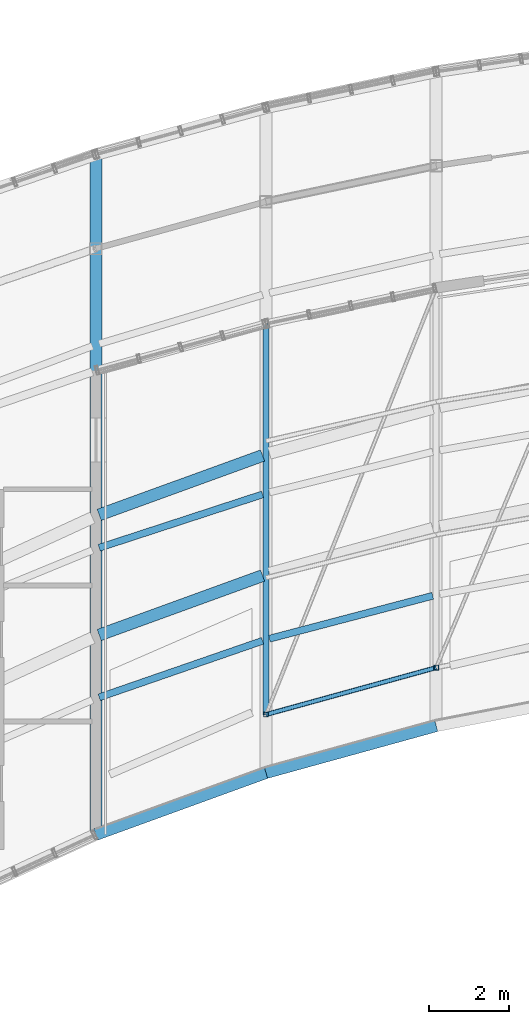
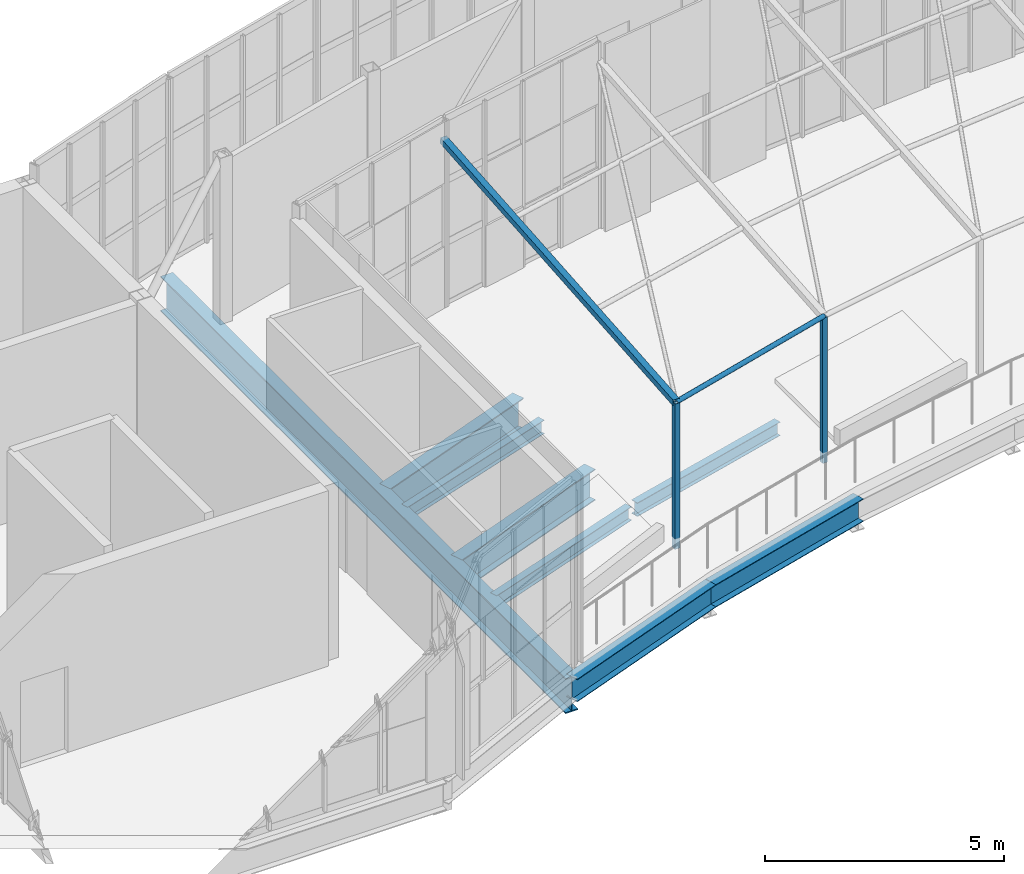
# One storey, part 9 of 35: 8 beams, 4 members.
"""IFC4 building model written with IfcOpenShell, lengths in metres."""

from ifc_helpers import new_model, si_unit, direction, frame, origin, origin_2d, place, context, subcontext, project, spatial, hollow_rectangle, hollow_circle, i_section, extrude, material, material_profile, profile_set, type_object, element, save


model = new_model("IFC4")

# Units and contexts
model_context = context("Model", 3, precision=1e-05, world=origin(), true_north=direction((0.0, 1.0)))
body_context = subcontext(model_context, "Body", "Model", "MODEL_VIEW")
ifc_project = project(units=[si_unit("LENGTHUNIT", "METRE"), si_unit("AREAUNIT", "SQUARE_METRE"), si_unit("VOLUMEUNIT", "CUBIC_METRE"), si_unit("PLANEANGLEUNIT", "RADIAN"), si_unit("MASSUNIT", "GRAM", prefix="KILO")], contexts=[model_context])

# Site, building, storey
site_placement = place(None, origin())
site = spatial("IfcSite", under=ifc_project, at=site_placement, CompositionType="ELEMENT")
building_placement = place(site_placement, origin())
building = spatial("IfcBuilding", under=site, at=building_placement, Name="Solvikara Media Centre", CompositionType="ELEMENT")
storey_placement = place(building_placement, frame((0.0, 0.0, 29.39990234375)))
storey = spatial("IfcBuildingStorey", under=building, at=storey_placement, Name="L06", CompositionType="ELEMENT", Elevation=29.39990234375)

# Beams
ifc_material = material(Name="Steel S355JR", Category="steel")
ifc_material_profile_1 = material_profile(ifc_material, i_section(OverallWidth=0.300048828125, OverallDepth=0.89990234375, WebThickness=0.01611328125, FlangeThickness=0.028076171875, at=origin_2d()), Name="WF 900x300x16x28")
ifc_profile_set_1 = profile_set([ifc_material_profile_1], Name="Steel S355JR")
beam_type_1 = type_object("IfcBeamType", Name="BM-15", PredefinedType="BEAM", material=ifc_profile_set_1)
beam_1_placement = place(storey_placement, frame((80.75, 21.279052734375, -0.721923828125), z_axis=(0.0, 1.0, 0.0), x_axis=(-1.0, 0.0, 0.0)))
element("IfcBeam", 1, at=beam_1_placement, inside=storey, type_object=beam_type_1, Name="BG-L06-NS-01", PredefinedType="BEAM", context=body_context, shape_type="SweptSolid", body=[
    extrude(i_section(OverallWidth=0.300048828125, OverallDepth=0.89990234375, WebThickness=0.01611328125, FlangeThickness=0.028076171875, at=origin_2d()), origin(), (0.0, 0.0, 1.0), 16.98095703125),
])
ifc_material_profile_2 = material_profile(ifc_material, i_section(OverallWidth=0.300048828125, OverallDepth=0.800048828125, WebThickness=0.013916015625, FlangeThickness=0.02587890625, at=origin_2d()), Name="WF 800x300x14x26")
ifc_profile_set_2 = profile_set([ifc_material_profile_2], Name="Steel S355JR")
beam_type_2 = type_object("IfcBeamType", Name="BM-16", PredefinedType="BEAM", material=ifc_profile_set_2)
for number, where, z_axis, x_axis, name in (
    (2, (80.8349609375, 26.260009765625, -0.671875), (0.939849238439, 0.341589532927, 0.0), (-0.341589532927, 0.939849238439, 0.0), "B-L06-SPNS-01"),
    (3, (80.8349609375, 29.260009765625, -0.671875), (0.939849238439, 0.341589532927, 0.0), (-0.341589532927, 0.939849238439, 0.0), "B-L06-SPNN-01"),
):
    element("IfcBeam", number, at=place(storey_placement, frame(where, z_axis=z_axis, x_axis=x_axis)), inside=storey, type_object=beam_type_2, Name=name, PredefinedType="BEAM", context=body_context, shape_type="SweptSolid", body=[
        extrude(i_section(OverallWidth=0.300048828125, OverallDepth=0.800048828125, WebThickness=0.013916015625, FlangeThickness=0.02587890625, at=origin_2d()), origin(), (0.0, 0.0, 1.0), 4.34130859375),
    ])
ifc_material_profile_3 = material_profile(ifc_material, i_section(OverallWidth=0.175048828125, OverallDepth=0.35009765625, WebThickness=0.007080078125, FlangeThickness=0.010986328125, at=origin_2d()), Name="WF 350x175x7x11")
ifc_profile_set_3 = profile_set([ifc_material_profile_3], Name="Steel S355JR")
beam_type_3 = type_object("IfcBeamType", Name="BM-22", PredefinedType="JOIST", material=ifc_profile_set_3)
beam_2_placement = place(storey_placement, frame((80.8349609375, 24.7041015625, -0.447021484375), z_axis=(0.945019683137, 0.327013453063, 0.0), x_axis=(-0.327013453063, 0.945019683137, 0.0)))
element("IfcBeam", 4, at=beam_2_placement, inside=storey, type_object=beam_type_3, Name="BJ-L06-01-20", PredefinedType="JOIST", context=body_context, shape_type="SweptSolid", body=[
    extrude(i_section(OverallWidth=0.175048828125, OverallDepth=0.35009765625, WebThickness=0.007080078125, FlangeThickness=0.010986328125, at=origin_2d()), origin(), (0.0, 0.0, 1.0), 4.3173828125),
])
beam_3_placement = place(storey_placement, frame((80.8359375, 28.43896484375, -0.447021484375), z_axis=(0.950578037944, 0.310485738447, 0.0), x_axis=(-0.310485738447, 0.950578037944, 0.0)))
element("IfcBeam", 5, at=beam_3_placement, inside=storey, type_object=beam_type_3, Name="BJ-L06-01-42", PredefinedType="JOIST", context=body_context, shape_type="SweptSolid", body=[
    extrude(i_section(OverallWidth=0.175048828125, OverallDepth=0.35009765625, WebThickness=0.007080078125, FlangeThickness=0.010986328125, at=origin_2d()), origin(), (0.0, 0.0, 1.0), 4.2900390625),
])
beam_4_placement = place(storey_placement, frame((85.0869140625, 26.16796875, -0.447021484375), z_axis=(0.967112792727, 0.254347884096, 0.0), x_axis=(-0.254347884096, 0.967112792727, 0.0)))
element("IfcBeam", 6, at=beam_4_placement, inside=storey, type_object=beam_type_3, Name="BJ-L06-02-20", PredefinedType="JOIST", context=body_context, shape_type="SweptSolid", body=[
    extrude(i_section(OverallWidth=0.175048828125, OverallDepth=0.35009765625, WebThickness=0.007080078125, FlangeThickness=0.010986328125, at=origin_2d()), origin(), (0.0, 0.0, 1.0), 4.21484375),
])
ifc_material_profile_4 = material_profile(ifc_material, i_section(OverallWidth=0.300048828125, OverallDepth=0.58203125, WebThickness=0.011962890625, FlangeThickness=0.01708984375, at=origin_2d()), Name="WF 582x300x12x17")
ifc_profile_set_4 = profile_set([ifc_material_profile_4], Name="Steel S355JR")
beam_type_4 = type_object("IfcBeamType", Name="BM-31", PredefinedType="SPANDREL", material=ifc_profile_set_4)
beam_5_placement = place(storey_placement, frame((80.75, 21.279052734375, -0.56298828125), z_axis=(0.939831249065, 0.341639024821, 0.0), x_axis=(-0.341639024821, 0.939831249065, 0.0)))
element("IfcBeam", 7, at=beam_5_placement, inside=storey, type_object=beam_type_4, Name="B-L06-SARC-01", PredefinedType="SPANDREL", context=body_context, shape_type="SweptSolid", body=[
    extrude(i_section(OverallWidth=0.300048828125, OverallDepth=0.58203125, WebThickness=0.011962890625, FlangeThickness=0.01708984375, at=origin_2d()), origin(), (0.0, 0.0, 1.0), 4.52197265625),
])
beam_6_placement = place(storey_placement, frame((85.0, 22.823974609375, -0.56298828125), z_axis=(0.964009749544, 0.265866889221, 0.0), x_axis=(-0.265866889221, 0.964009749544, 0.0)))
element("IfcBeam", 8, at=beam_6_placement, inside=storey, type_object=beam_type_4, Name="B-L06-SARC-02", PredefinedType="SPANDREL", context=body_context, shape_type="SweptSolid", body=[
    extrude(i_section(OverallWidth=0.300048828125, OverallDepth=0.58203125, WebThickness=0.011962890625, FlangeThickness=0.01708984375, at=origin_2d()), origin(), (0.0, 0.0, 1.0), 4.40869140625),
])

# Members
ifc_material_profile_5 = material_profile(ifc_material, hollow_circle(Radius=0.05712890625, WallThickness=0.006103515625, at=origin_2d()), Name="CHS 114.3x6")
ifc_profile_set_5 = profile_set([ifc_material_profile_5], Name="Steel S355JR")
member_type_1 = type_object("IfcMemberType", Name="MB-09", PredefinedType="BRACE", material=ifc_profile_set_5)
member_1_placement = place(storey_placement, frame((85.0, 24.27392578125, 3.4501953125), z_axis=(0.964009749544, 0.265866889221, 0.0), x_axis=(-0.265866889221, 0.964009749544, 0.0)))
element("IfcMember", 9, at=member_1_placement, inside=storey, type_object=member_type_1, Name="PERG-LVR-03-0", PredefinedType="BRACE", context=body_context, shape_type="SweptSolid", body=[
    extrude(hollow_circle(Radius=0.05712890625, WallThickness=0.006103515625, at=origin_2d()), origin(), (0.0, 0.0, 1.0), 4.40869140625),
])
ifc_material_profile_6 = material_profile(ifc_material, hollow_rectangle(XDim=0.14990234375, YDim=0.14990234375, WallThickness=0.00634765625, at=origin_2d()), Name="RHS 150x150x6.3")
ifc_profile_set_6 = profile_set([ifc_material_profile_6], Name="Steel S355JR")
member_type_2 = type_object("IfcMemberType", Name="MB-15", PredefinedType="BRACE", material=ifc_profile_set_6)
member_2_placement = place(storey_placement, frame((85.0, 24.27392578125, 3.4501953125), z_axis=(0.0, 0.996657155071, 0.081697706493), x_axis=(-1.0, 0.0, 0.0)))
element("IfcMember", 10, at=member_2_placement, inside=storey, type_object=member_type_2, Name="PERG-RIB-02", PredefinedType="BRACE", context=body_context, shape_type="SweptSolid", body=[
    extrude(hollow_rectangle(XDim=0.14990234375, YDim=0.14990234375, WallThickness=0.00634765625, at=origin_2d()), origin(), (0.0, 0.0, 1.0), 9.789794921875),
])
ifc_material_profile_7 = material_profile(ifc_material, hollow_rectangle(XDim=0.1201171875, YDim=0.1201171875, WallThickness=0.006103515625, at=origin_2d()), Name="RHS 120x120x6")
ifc_profile_set_7 = profile_set([ifc_material_profile_7], Name="Steel S355JR")
member_type_3 = type_object("IfcMemberType", Name="MB-24", PredefinedType="POST", material=ifc_profile_set_7)
for number, where, z_axis, x_axis, name in (
    (11, (85.0, 24.27392578125, -0.27001953125), (0.0, 0.0, 1.0), (1.0, 0.0, 0.0), "PERG-PST-02"),
    (12, (89.25, 25.446044921875, -0.27001953125), (0.0, 0.0, 1.0), (1.0, 0.0, 0.0), "PERG-PST-03"),
):
    element("IfcMember", number, at=place(storey_placement, frame(where, z_axis=z_axis, x_axis=x_axis)), inside=storey, type_object=member_type_3, Name=name, PredefinedType="POST", context=body_context, shape_type="SweptSolid", body=[
        extrude(hollow_rectangle(XDim=0.1201171875, YDim=0.1201171875, WallThickness=0.006103515625, at=origin_2d()), origin(), (0.0, 0.0, 1.0), 3.72021484375),
    ])

save(model, "model.ifc")
